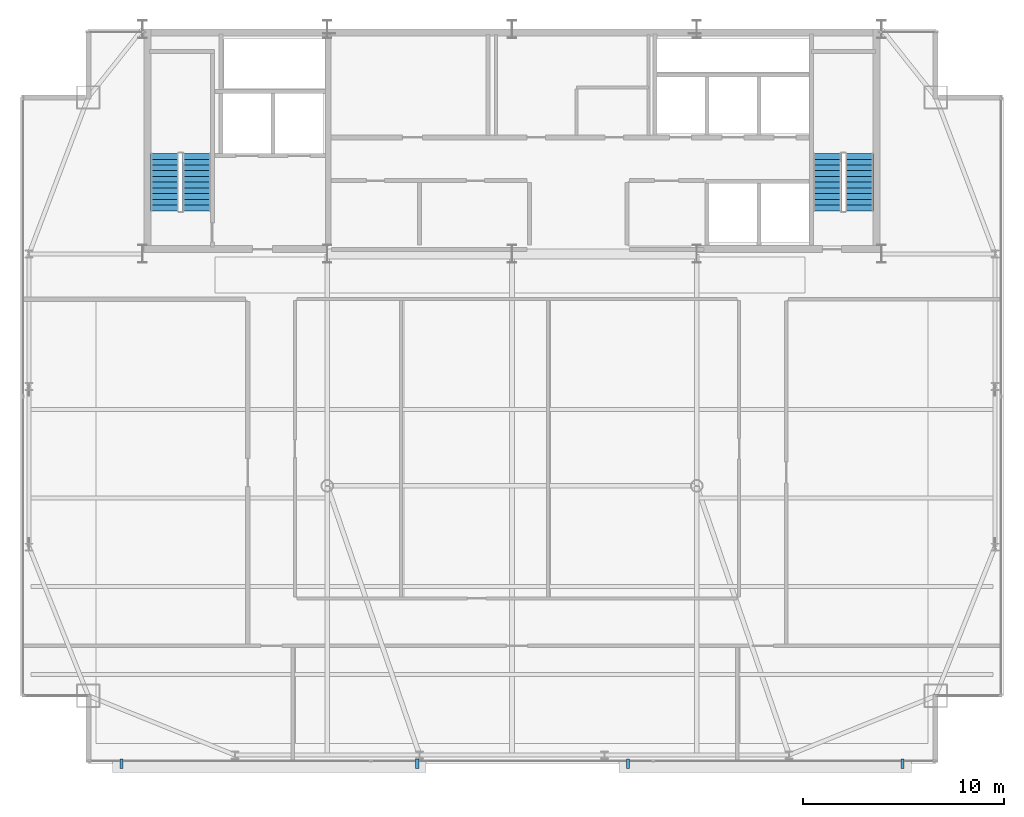
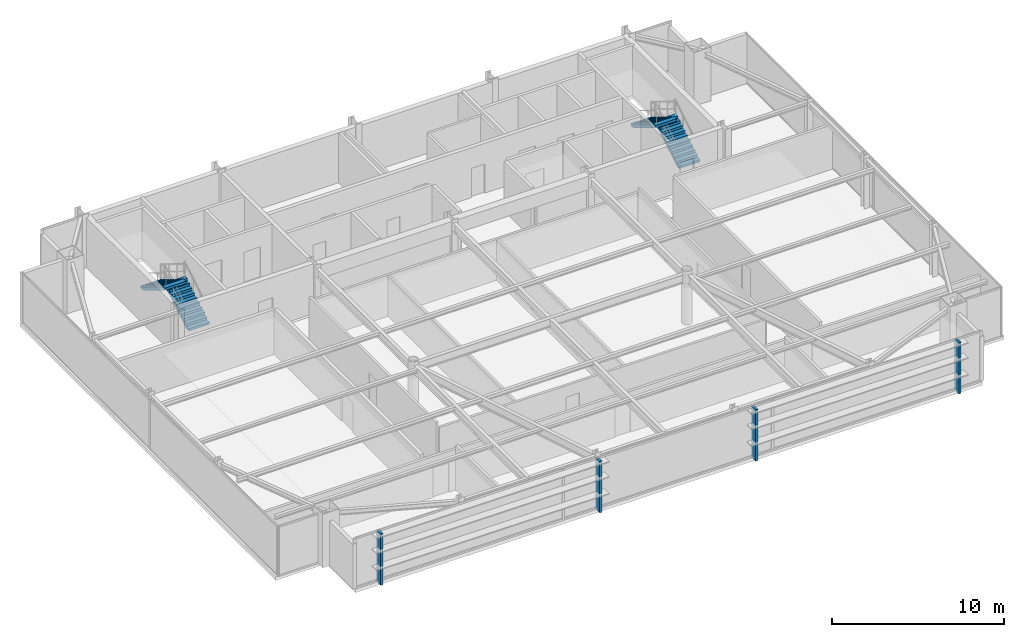
# One storey, part 24 of 25: 4 discrete accessories, 4 stair flights, 2 elements without a shape of their own.
"""IFC4 building model written with IfcOpenShell, lengths in metres."""

from ifc_helpers import new_model, si_unit, direction, frame, origin, origin_2d, place, context, subcontext, project, spatial, polyline, rectangle, outline, extrude, source, transform, mapped, material, layer, layer_set, type_object, type_shapes, element, aggregate, save


model = new_model("IFC4")

# Units and contexts
model_context = context("Model", 3, precision=1e-05, world=origin(), true_north=direction((0.0, 1.0)))
body_context = subcontext(model_context, "Body", "Model", "MODEL_VIEW")
ifc_project = project(units=[si_unit("LENGTHUNIT", "METRE"), si_unit("AREAUNIT", "SQUARE_METRE"), si_unit("VOLUMEUNIT", "CUBIC_METRE"), si_unit("PLANEANGLEUNIT", "RADIAN"), si_unit("MASSUNIT", "GRAM", prefix="KILO")], contexts=[model_context])

# Site, building, storey
site_placement = place(None, origin())
site = spatial("IfcSite", under=ifc_project, at=site_placement, CompositionType="ELEMENT")
building_placement = place(site_placement, origin())
building = spatial("IfcBuilding", under=site, at=building_placement, Name="Varnel Quay Broadcast Tower", CompositionType="ELEMENT")
storey_placement = place(building_placement, frame((0.0, 0.0, 226.39990234375)))
storey = spatial("IfcBuildingStorey", under=building, at=storey_placement, Name="L56", CompositionType="ELEMENT", Elevation=226.39990234375)

# Stair, stair flights
ifc_material_1 = material(Name="Precast Structural Concrete C40/50", Category="concrete")
stair_type_1 = type_object("IfcStairType", Name="Stair_ST-01", PredefinedType="HALF_TURN_STAIR", material=ifc_material_1)
stair_1_placement = place(storey_placement, origin())
stair_1 = element("IfcStair", 1, at=stair_1_placement, inside=storey, type_object=stair_type_1, Name="L56 West Core Exit Stair 1", PredefinedType="HALF_TURN_STAIR")
stair_flight_type_1 = type_object("IfcStairFlightType", Name="Flight_ST-01", PredefinedType="STRAIGHT", material=ifc_material_1)
stair_flight_1_placement = place(storey_placement, frame((18.300048828125, 37.75, 0.0), z_axis=(0.0, 0.0, 1.0), x_axis=(0.0, 1.0, 0.0)))
stair_flight_1 = element("IfcStairFlight", 2, at=stair_flight_1_placement, type_object=stair_flight_type_1, Name="ST-01 flight 1", NumberOfRisers=11, NumberOfTreads=10, PredefinedType="STRAIGHT", RiserHeight=0.172727273, TreadLength=0.285, context=body_context, shape_type="SweptSolid", body=[
    extrude(outline(polyline([(0.0, 0.0), (0.0, 0.172607421875), (0.284912109375, 0.172607421875), (0.284912109375, 0.345458984375), (0.570068359375, 0.345458984375), (0.570068359375, 0.51806640625), (0.85498046875, 0.51806640625), (0.85498046875, 0.69091796875), (1.139892578125, 0.69091796875), (1.139892578125, 0.863525390625), (1.425048828125, 0.863525390625), (1.425048828125, 1.036376953125), (1.7099609375, 1.036376953125), (1.7099609375, 1.208984375), (1.9951171875, 1.208984375), (1.9951171875, 1.3818359375), (2.280029296875, 1.3818359375), (2.280029296875, 1.554443359375), (2.56494140625, 1.554443359375), (2.56494140625, 1.727294921875), (2.85009765625, 1.727294921875), (2.85009765625, 1.89990234375), (2.85009765625, 1.552001953125), (0.289306640625, 0.0), (0.0, 0.0)])), frame((0.0, 0.699951171875, 0.0), z_axis=(0.0, -1.0, 0.0), x_axis=(1.0, 0.0, 0.0)), (0.0, 0.0, 1.0), 1.39990234375),
])
stair_flight_2_placement = place(storey_placement, frame((16.699951171875, 40.60009765625, 1.900146484375), z_axis=(0.0, 0.0, 1.0), x_axis=(0.0, -1.0, 0.0)))
stair_flight_2 = element("IfcStairFlight", 3, at=stair_flight_2_placement, type_object=stair_flight_type_1, Name="ST-01 flight 2", NumberOfRisers=11, NumberOfTreads=10, PredefinedType="STRAIGHT", RiserHeight=0.172727273, TreadLength=0.285, context=body_context, shape_type="SweptSolid", body=[
    extrude(outline(polyline([(0.0, 0.0), (0.0, 0.172607421875), (0.284912109375, 0.172607421875), (0.284912109375, 0.345458984375), (0.570068359375, 0.345458984375), (0.570068359375, 0.51806640625), (0.85498046875, 0.51806640625), (0.85498046875, 0.69091796875), (1.139892578125, 0.69091796875), (1.139892578125, 0.863525390625), (1.425048828125, 0.863525390625), (1.425048828125, 1.036376953125), (1.7099609375, 1.036376953125), (1.7099609375, 1.208984375), (1.9951171875, 1.208984375), (1.9951171875, 1.3818359375), (2.280029296875, 1.3818359375), (2.280029296875, 1.554443359375), (2.56494140625, 1.554443359375), (2.56494140625, 1.727294921875), (2.85009765625, 1.727294921875), (2.85009765625, 1.89990234375), (2.85009765625, 1.552001953125), (0.289306640625, 0.0), (0.0, 0.0)])), frame((0.0, 0.699951171875, 0.0), z_axis=(0.0, -1.0, 0.0), x_axis=(1.0, 0.0, 0.0)), (0.0, 0.0, 1.0), 1.39990234375),
])
aggregate(stair_1, [stair_flight_1, stair_flight_2])

stair_type_2 = type_object("IfcStairType", Name="Stair_ST-02", PredefinedType="HALF_TURN_STAIR", material=ifc_material_1)
stair_2_placement = place(storey_placement, origin())
stair_2 = element("IfcStair", 4, at=stair_2_placement, inside=storey, type_object=stair_type_2, Name="L56 East Core Exit Stair 2", PredefinedType="HALF_TURN_STAIR")
stair_flight_type_2 = type_object("IfcStairFlightType", Name="Flight_ST-02", PredefinedType="STRAIGHT", material=ifc_material_1)
stair_flight_3_placement = place(storey_placement, frame((51.300048828125, 37.75, 0.0), z_axis=(0.0, 0.0, 1.0), x_axis=(0.0, 1.0, 0.0)))
stair_flight_3 = element("IfcStairFlight", 5, at=stair_flight_3_placement, type_object=stair_flight_type_2, Name="ST-02 flight 1", NumberOfRisers=11, NumberOfTreads=10, PredefinedType="STRAIGHT", RiserHeight=0.172727273, TreadLength=0.285, context=body_context, shape_type="SweptSolid", body=[
    extrude(outline(polyline([(0.0, 0.0), (0.0, 0.172607421875), (0.284912109375, 0.172607421875), (0.284912109375, 0.345458984375), (0.570068359375, 0.345458984375), (0.570068359375, 0.51806640625), (0.85498046875, 0.51806640625), (0.85498046875, 0.69091796875), (1.139892578125, 0.69091796875), (1.139892578125, 0.863525390625), (1.425048828125, 0.863525390625), (1.425048828125, 1.036376953125), (1.7099609375, 1.036376953125), (1.7099609375, 1.208984375), (1.9951171875, 1.208984375), (1.9951171875, 1.3818359375), (2.280029296875, 1.3818359375), (2.280029296875, 1.554443359375), (2.56494140625, 1.554443359375), (2.56494140625, 1.727294921875), (2.85009765625, 1.727294921875), (2.85009765625, 1.89990234375), (2.85009765625, 1.552001953125), (0.289306640625, 0.0), (0.0, 0.0)])), frame((0.0, 0.699951171875, 0.0), z_axis=(0.0, -1.0, 0.0), x_axis=(1.0, 0.0, 0.0)), (0.0, 0.0, 1.0), 1.39990234375),
])
stair_flight_4_placement = place(storey_placement, frame((49.699951171875, 40.60009765625, 1.900146484375), z_axis=(0.0, 0.0, 1.0), x_axis=(0.0, -1.0, 0.0)))
stair_flight_4 = element("IfcStairFlight", 6, at=stair_flight_4_placement, type_object=stair_flight_type_2, Name="ST-02 flight 2", NumberOfRisers=11, NumberOfTreads=10, PredefinedType="STRAIGHT", RiserHeight=0.172727273, TreadLength=0.285, context=body_context, shape_type="SweptSolid", body=[
    extrude(outline(polyline([(0.0, 0.0), (0.0, 0.172607421875), (0.284912109375, 0.172607421875), (0.284912109375, 0.345458984375), (0.570068359375, 0.345458984375), (0.570068359375, 0.51806640625), (0.85498046875, 0.51806640625), (0.85498046875, 0.69091796875), (1.139892578125, 0.69091796875), (1.139892578125, 0.863525390625), (1.425048828125, 0.863525390625), (1.425048828125, 1.036376953125), (1.7099609375, 1.036376953125), (1.7099609375, 1.208984375), (1.9951171875, 1.208984375), (1.9951171875, 1.3818359375), (2.280029296875, 1.3818359375), (2.280029296875, 1.554443359375), (2.56494140625, 1.554443359375), (2.56494140625, 1.727294921875), (2.85009765625, 1.727294921875), (2.85009765625, 1.89990234375), (2.85009765625, 1.552001953125), (0.289306640625, 0.0), (0.0, 0.0)])), frame((0.0, 0.699951171875, 0.0), z_axis=(0.0, -1.0, 0.0), x_axis=(1.0, 0.0, 0.0)), (0.0, 0.0, 1.0), 1.39990234375),
])
aggregate(stair_2, [stair_flight_3, stair_flight_4])

# Discrete accessories
ifc_material_2 = material(Name="Anodised Bronze Aluminium 6063-T6", Category="aluminium")
ifc_layer = layer(ifc_material_2, 0.47998046875, Name="Anodised Bronze Aluminium 6063-T6")
ifc_layer_set = layer_set([ifc_layer], Name="Anodised Bronze Aluminium 6063-T6")
discrete_accessory_type = type_object("IfcDiscreteAccessoryType", Name="Acc_FacadeBracket", PredefinedType="BRACKET", material=ifc_layer_set)
shared_shape = source(origin(), body_context, "Body", "SweptSolid", [
    extrude(rectangle(XDim=0.159912109375, YDim=0.47998046875, at=origin_2d()), origin(), (0.0, 0.0, 1.0), 3.64990234375),
])
type_shapes(discrete_accessory_type, [shared_shape])
for number, where, z_axis, x_axis, name in (
    (7, (14.550048828125, 10.219970703125, -0.14990234375), (0.0, 0.0, 1.0), (1.0, 0.0, 0.0), "L56 Lobe 1 Louvre Support Bracket 1"),
    (8, (29.279052734375, 10.219970703125, -0.14990234375), (0.0, 0.0, 1.0), (1.0, 0.0, 0.0), "L56 Lobe 1 Louvre Support Bracket 2"),
    (9, (39.779052734375, 10.219970703125, -0.14990234375), (0.0, 0.0, 1.0), (1.0, 0.0, 0.0), "L56 Lobe 2 Louvre Support Bracket 1"),
    (10, (53.449951171875, 10.219970703125, -0.14990234375), (0.0, 0.0, 1.0), (1.0, 0.0, 0.0), "L56 Lobe 2 Louvre Support Bracket 2"),
):
    element("IfcDiscreteAccessory", number, at=place(storey_placement, frame(where, z_axis=z_axis, x_axis=x_axis)), inside=storey, type_object=discrete_accessory_type, Name=name, PredefinedType="BRACKET", context=body_context, shape_type="MappedRepresentation", body=[
        mapped(shared_shape, transform((0.0, 0.0, 0.0), x_axis=(1.0, 0.0, 0.0), y_axis=(0.0, 1.0, 0.0), z_axis=(0.0, 0.0, 1.0), scale=1.0)),
    ])

save(model, "model.ifc")
